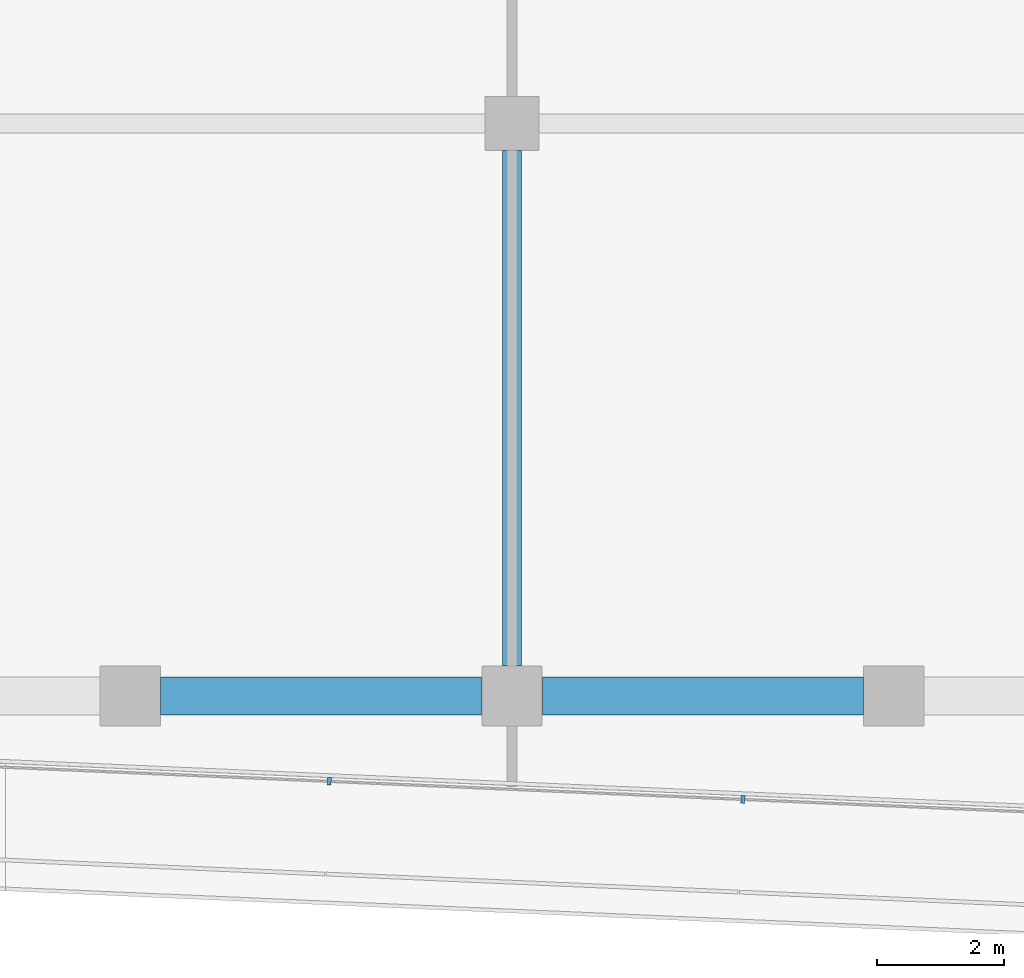
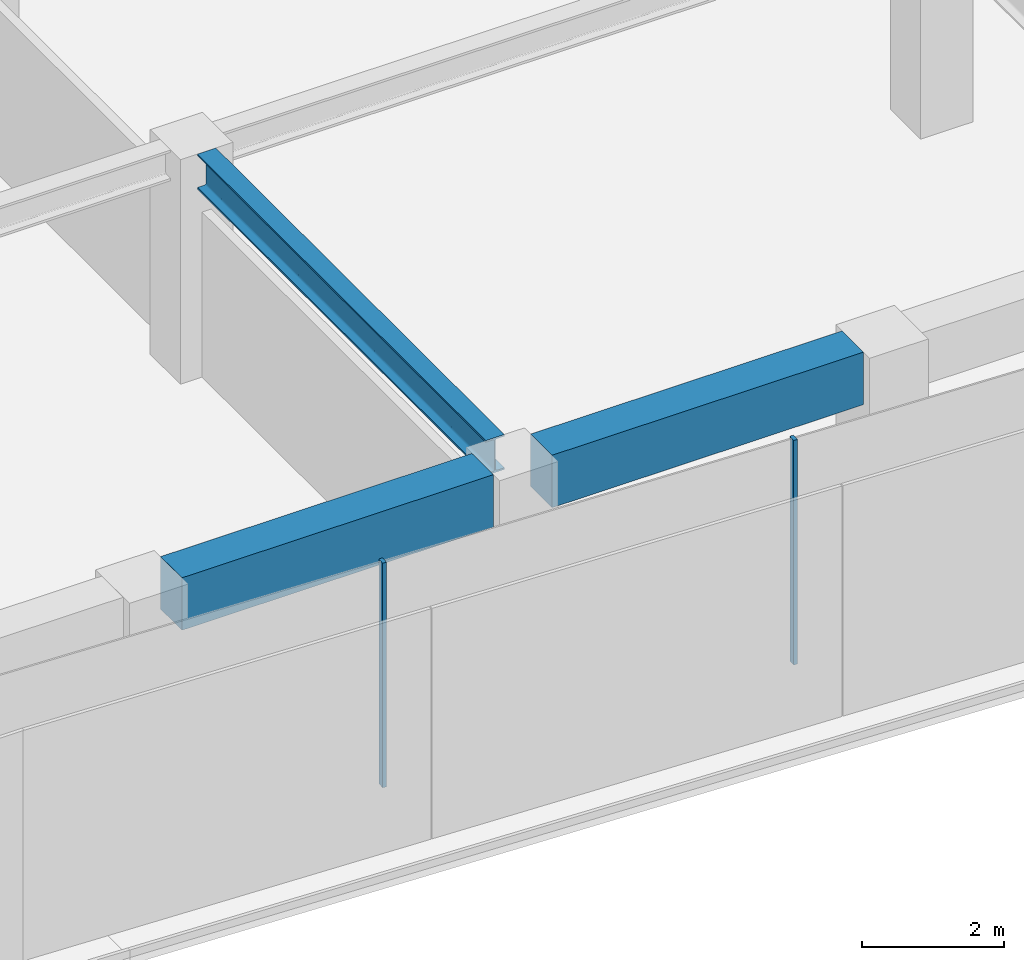
# One storey, part 6 of 29: 3 beams, 2 members, 1 element without a shape of its own.
"""IFC4 building model written with IfcOpenShell, lengths in metres."""

from ifc_helpers import new_model, si_unit, direction, frame, origin, origin_2d, place, context, subcontext, project, spatial, rectangle, i_section, extrude, material, layer, layer_set, material_profile, profile_set, type_object, element, aggregate, save


model = new_model("IFC4")

# Units and contexts
model_context = context("Model", 3, precision=1e-05, world=origin(), true_north=direction((0.0, 1.0)))
body_context = subcontext(model_context, "Body", "Model", "MODEL_VIEW")
ifc_project = project(units=[si_unit("LENGTHUNIT", "METRE"), si_unit("AREAUNIT", "SQUARE_METRE"), si_unit("VOLUMEUNIT", "CUBIC_METRE"), si_unit("PLANEANGLEUNIT", "RADIAN"), si_unit("MASSUNIT", "GRAM", prefix="KILO")], contexts=[model_context])

# Site, building, storey
site_placement = place(None, origin())
site = spatial("IfcSite", under=ifc_project, at=site_placement, CompositionType="ELEMENT")
building_placement = place(site_placement, origin())
building = spatial("IfcBuilding", under=site, at=building_placement, Name="Welwitschia Terrace Campus", CompositionType="ELEMENT")
storey_placement = place(building_placement, frame((0.0, 0.0, 41.60009765625)))
storey = spatial("IfcBuildingStorey", under=building, at=storey_placement, Name="L09", CompositionType="ELEMENT", Elevation=41.60009765625)

# Curtain wall, members
ifc_material_1 = material(Name="Bronze anodised aluminium", Category="aluminium")
ifc_layer = layer(ifc_material_1, 0.1201171875)
ifc_layer_set = layer_set([ifc_layer], Name="Bronze anodised aluminium")
curtain_wall_type = type_object("IfcCurtainWallType", Name="Curtain wall CW2 tower 6000", PredefinedType="NOTDEFINED", material=ifc_layer_set)
curtain_wall_placement = place(storey_placement, origin())
curtain_wall = element("IfcCurtainWall", 1, at=curtain_wall_placement, inside=storey, type_object=curtain_wall_type, Name="CW L09.4.0", PredefinedType="NOTDEFINED")
ifc_material_2 = material(Name="Bronze anodised aluminium", Category="aluminium")
ifc_material_profile_1 = material_profile(ifc_material_2, rectangle(XDim=0.1201171875, YDim=0.06005859375, at=origin_2d()))
ifc_profile_set_1 = profile_set([ifc_material_profile_1], Name="Bronze anodised aluminium")
member_type = type_object("IfcMemberType", Name="Mullion 60x120", PredefinedType="MULLION", material=ifc_profile_set_1)
member_1_placement = place(storey_placement, frame((33.1279296875, -5.341796875, 0.0), z_axis=(0.0, 0.0, 1.0), x_axis=(0.043619387365, 0.999048221582, 0.0)))
member_1 = element("IfcMember", 2, at=member_1_placement, type_object=member_type, Name="Mullion L09.4.0.1", PredefinedType="MULLION", context=body_context, shape_type="SweptSolid", body=[
    extrude(rectangle(XDim=0.1201171875, YDim=0.06005859375, at=origin_2d()), origin(), (0.0, 0.0, 1.0), 3.849853515625),
])
member_2_placement = place(storey_placement, frame((39.627685546875, -5.62548828125, 0.0), z_axis=(0.0, 0.0, 1.0), x_axis=(0.043619387365, 0.999048221582, 0.0)))
member_2 = element("IfcMember", 3, at=member_2_placement, type_object=member_type, Name="Mullion L09.4.0.2", PredefinedType="MULLION", context=body_context, shape_type="SweptSolid", body=[
    extrude(rectangle(XDim=0.1201171875, YDim=0.06005859375, at=origin_2d()), origin(), (0.0, 0.0, 1.0), 3.849853515625),
])
aggregate(curtain_wall, [member_1, member_2])

# Beams
ifc_material_3 = material(Name="Steel S355", Category="steel")
ifc_material_profile_2 = material_profile(ifc_material_3, i_section(OverallWidth=0.300048828125, OverallDepth=0.60009765625, WebThickness=0.015380859375, FlangeThickness=0.030029296875, FilletRadius=0.027099609375, at=origin_2d()))
ifc_profile_set_2 = profile_set([ifc_material_profile_2], Name="Steel S355")
beam_type_1 = type_object("IfcBeamType", Name="Primary beam HE 600 B", PredefinedType="BEAM", material=ifc_profile_set_2)
beam_placement = place(storey_placement, frame((36.0, -3.5244140625, 3.5498046875), z_axis=(0.0, 1.0, 0.0), x_axis=(-1.0, 0.0, 0.0)))
element("IfcBeam", 4, at=beam_placement, inside=storey, type_object=beam_type_1, Name="Primary beam PB2", PredefinedType="BEAM", context=body_context, shape_type="SweptSolid", body=[
    extrude(i_section(OverallWidth=0.300048828125, OverallDepth=0.60009765625, WebThickness=0.015380859375, FlangeThickness=0.030029296875, FilletRadius=0.027099609375, at=origin_2d()), origin(), (0.0, 0.0, 1.0), 8.098876953125),
])
ifc_material_4 = material(Name="Concrete C60/75", Category="concrete")
ifc_material_profile_3 = material_profile(ifc_material_4, rectangle(XDim=0.60009765625, YDim=0.89990234375, at=origin_2d()))
ifc_profile_set_3 = profile_set([ifc_material_profile_3], Name="Concrete C60/75")
beam_type_2 = type_object("IfcBeamType", Name="Ring spandrel 600x900", PredefinedType="SPANDREL", material=ifc_profile_set_3)
for number, where, z_axis, x_axis, name in (
    (5, (30.4755859375, -4.0, 3.39990234375), (1.0, 0.0, 0.0), (0.0, 1.0, 0.0), "Spandrel SP2"),
    (6, (36.4755859375, -4.0, 3.39990234375), (1.0, 0.0, 0.0), (0.0, 1.0, 0.0), "Spandrel SP2"),
):
    element("IfcBeam", number, at=place(storey_placement, frame(where, z_axis=z_axis, x_axis=x_axis)), inside=storey, type_object=beam_type_2, Name=name, PredefinedType="SPANDREL", context=body_context, shape_type="SweptSolid", body=[
        extrude(rectangle(XDim=0.60009765625, YDim=0.89990234375, at=origin_2d()), origin(), (0.0, 0.0, 1.0), 5.048828125),
    ])

save(model, "model.ifc")
